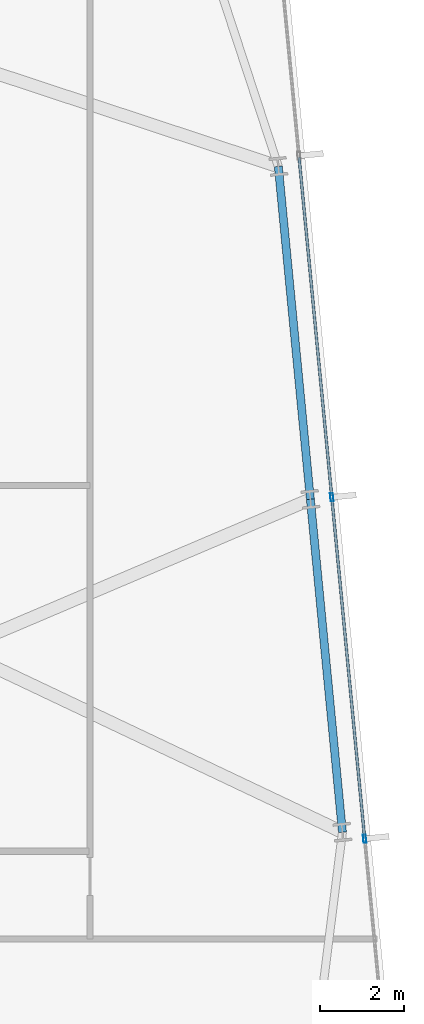
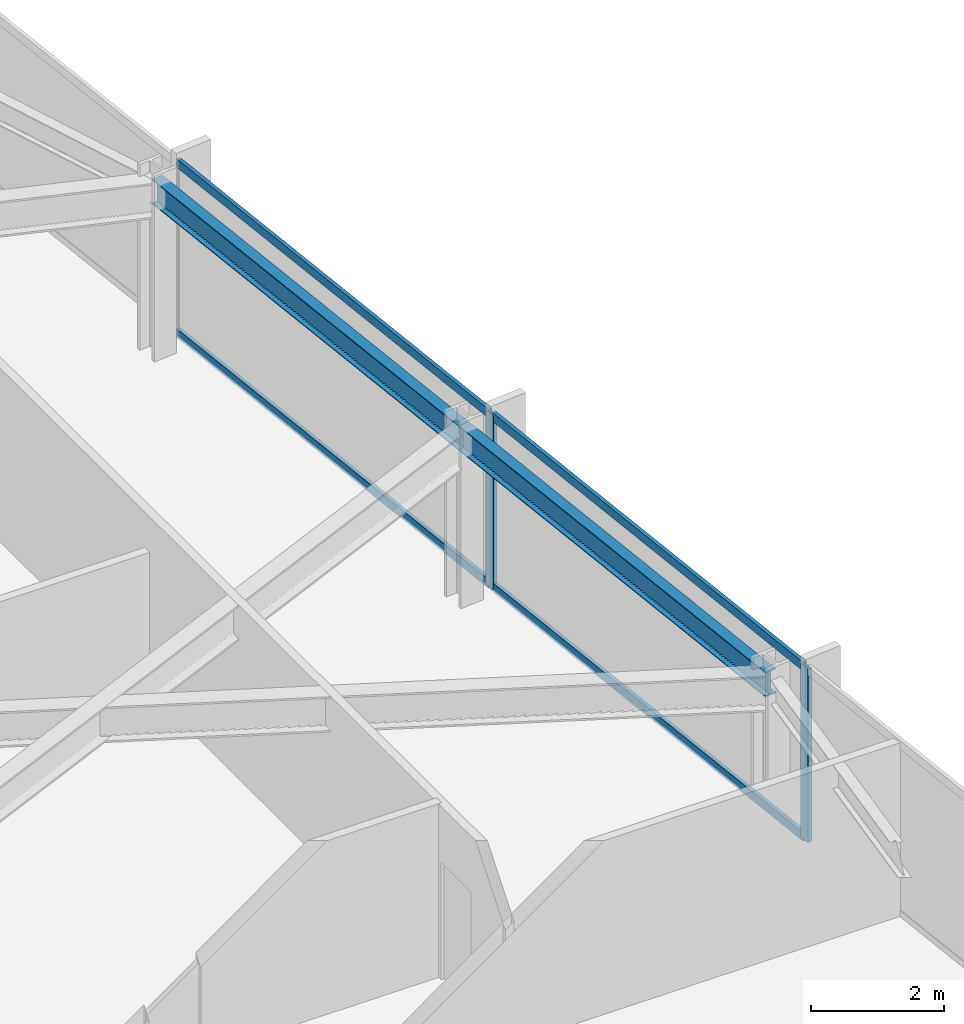
# One storey, part 16 of 32: 6 members, 2 beams, 1 element without a shape of its own.
"""IFC4 building model written with IfcOpenShell, lengths in metres."""

from ifc_helpers import new_model, si_unit, direction, frame, origin, origin_2d, place, context, subcontext, project, spatial, hollow_rectangle, i_section, extrude, material, material_profile, profile_set, type_object, element, aggregate, save


model = new_model("IFC4")

# Units and contexts
model_context = context("Model", 3, precision=1e-05, world=origin(), true_north=direction((0.0, 1.0)))
body_context = subcontext(model_context, "Body", "Model", "MODEL_VIEW")
ifc_project = project(units=[si_unit("LENGTHUNIT", "METRE"), si_unit("AREAUNIT", "SQUARE_METRE"), si_unit("VOLUMEUNIT", "CUBIC_METRE"), si_unit("PLANEANGLEUNIT", "RADIAN"), si_unit("MASSUNIT", "GRAM", prefix="KILO")], contexts=[model_context])

# Site, building, storey
site_placement = place(None, origin())
site = spatial("IfcSite", under=ifc_project, at=site_placement, CompositionType="ELEMENT")
building_placement = place(site_placement, origin())
building = spatial("IfcBuilding", under=site, at=building_placement, Name="Yelkora Congress Tower", CompositionType="ELEMENT")
storey_placement = place(building_placement, frame((0.0, 0.0, 99.89990234375)))
storey = spatial("IfcBuildingStorey", under=building, at=storey_placement, Name="L26", CompositionType="ELEMENT", Elevation=99.89990234375)

# Beams
ifc_material_1 = material(Name="Steel S355J2", Category="steel")
ifc_material_profile_1 = material_profile(ifc_material_1, i_section(OverallWidth=0.18994140625, OverallDepth=0.449951171875, WebThickness=0.009521484375, FlangeThickness=0.0146484375, FilletRadius=0.02099609375, at=origin_2d()), Name="IPE 450")
ifc_profile_set_1 = profile_set([ifc_material_profile_1], Name="Steel S355J2")
beam_type = type_object("IfcBeamType", Name="BM-SPAN-IPE450", PredefinedType="SPANDREL", material=ifc_profile_set_1)
beam_1_placement = place(storey_placement, frame((76.041259765625, 24.83349609375, 2.955078125), z_axis=(-0.095839787071, 0.995396772757, 0.0), x_axis=(-0.995396772757, -0.095839787071, 0.0)))
element("IfcBeam", 1, at=beam_1_placement, inside=storey, type_object=beam_type, Name="L26 Perimeter Beam 11", PredefinedType="SPANDREL", context=body_context, shape_type="SweptSolid", body=[
    extrude(i_section(OverallWidth=0.18994140625, OverallDepth=0.449951171875, WebThickness=0.009521484375, FlangeThickness=0.0146484375, FilletRadius=0.02099609375, at=origin_2d()), origin(), (0.0, 0.0, 1.0), 7.9248046875),
])
beam_2_placement = place(storey_placement, frame((75.28173828125, 32.721923828125, 2.955078125), z_axis=(-0.09583684824, 0.995397055712, 0.0), x_axis=(-0.995397055712, -0.09583684824, 0.0)))
element("IfcBeam", 2, at=beam_2_placement, inside=storey, type_object=beam_type, Name="L26 Perimeter Beam 12", PredefinedType="SPANDREL", context=body_context, shape_type="SweptSolid", body=[
    extrude(i_section(OverallWidth=0.18994140625, OverallDepth=0.449951171875, WebThickness=0.009521484375, FlangeThickness=0.0146484375, FilletRadius=0.02099609375, at=origin_2d()), origin(), (0.0, 0.0, 1.0), 7.925048828125),
])

# Curtain wall, members
ifc_material_2 = material(Name="Anodised aluminium and insulated glass", Category="aluminium")
curtain_wall_type = type_object("IfcCurtainWallType", Name="CW-SYS-B2", PredefinedType="NOTDEFINED", material=ifc_material_2)
curtain_wall_placement = place(storey_placement, origin())
curtain_wall = element("IfcCurtainWall", 3, at=curtain_wall_placement, inside=storey, type_object=curtain_wall_type, Name="L26 Unitised Curtain Wall 15", PredefinedType="NOTDEFINED")
ifc_material_3 = material(Name="Anodised aluminium 6063-T6", Category="aluminium")
ifc_material_profile_2 = material_profile(ifc_material_3, hollow_rectangle(XDim=0.070068359375, YDim=0.18994140625, WallThickness=0.00390625, at=origin_2d()), Name="ALU 70x190x4")
ifc_profile_set_2 = profile_set([ifc_material_profile_2], Name="Anodised aluminium 6063-T6")
member_type_1 = type_object("IfcMemberType", Name="MEM-ML-B2", PredefinedType="MULLION", material=ifc_profile_set_2)
member_1_placement = place(storey_placement, frame((75.789306640625, 32.770751953125, 0.0), z_axis=(0.0, 0.0, 1.0), x_axis=(0.995396507508, 0.095842541913, 0.0)))
member_1 = element("IfcMember", 4, at=member_1_placement, type_object=member_type_1, Name="CW-B2 mullion 3", PredefinedType="MULLION", context=body_context, shape_type="SweptSolid", body=[
    extrude(hollow_rectangle(XDim=0.070068359375, YDim=0.18994140625, WallThickness=0.00390625, at=origin_2d()), origin(), (0.0, 0.0, 1.0), 3.18017578125),
])
member_2_placement = place(storey_placement, frame((76.568603515625, 24.67822265625, 0.0), z_axis=(0.0, 0.0, 1.0), x_axis=(0.995396507508, 0.095842541913, 0.0)))
member_2 = element("IfcMember", 5, at=member_2_placement, type_object=member_type_1, Name="CW-B2 mullion 4", PredefinedType="MULLION", context=body_context, shape_type="SweptSolid", body=[
    extrude(hollow_rectangle(XDim=0.070068359375, YDim=0.18994140625, WallThickness=0.00390625, at=origin_2d()), origin(), (0.0, 0.0, 1.0), 3.18017578125),
])
ifc_material_profile_3 = material_profile(ifc_material_3, hollow_rectangle(XDim=0.06494140625, YDim=0.159912109375, WallThickness=0.00390625, at=origin_2d()), Name="ALU 65x160x4")
ifc_profile_set_3 = profile_set([ifc_material_profile_3], Name="Anodised aluminium 6063-T6")
member_type_2 = type_object("IfcMemberType", Name="MEM-TR-B2", PredefinedType="USERDEFINED", material=ifc_profile_set_3)
member_3_placement = place(storey_placement, frame((75.013427734375, 40.82861328125, 0.03271484375), z_axis=(0.095838228465, -0.995396922823, 0.0), x_axis=(0.995396922823, 0.095838228465, 0.0)))
member_3 = element("IfcMember", 6, at=member_3_placement, type_object=member_type_2, Name="CW-B2 transom 2.1", ObjectType="TRANSOM", PredefinedType="USERDEFINED", context=body_context, shape_type="SweptSolid", body=[
    extrude(hollow_rectangle(XDim=0.06494140625, YDim=0.159912109375, WallThickness=0.00390625, at=origin_2d()), origin(), (0.0, 0.0, 1.0), 8.06005859375),
])
member_4_placement = place(storey_placement, frame((75.013427734375, 40.82861328125, 3.147705078125), z_axis=(0.095838228465, -0.995396922823, 0.0), x_axis=(0.995396922823, 0.095838228465, 0.0)))
member_4 = element("IfcMember", 7, at=member_4_placement, type_object=member_type_2, Name="CW-B2 transom 2.2", ObjectType="TRANSOM", PredefinedType="USERDEFINED", context=body_context, shape_type="SweptSolid", body=[
    extrude(hollow_rectangle(XDim=0.06494140625, YDim=0.159912109375, WallThickness=0.00390625, at=origin_2d()), origin(), (0.0, 0.0, 1.0), 8.06005859375),
])
member_5_placement = place(storey_placement, frame((75.792724609375, 32.736083984375, 0.03271484375), z_axis=(0.095838228465, -0.995396922823, 0.0), x_axis=(0.995396922823, 0.095838228465, 0.0)))
member_5 = element("IfcMember", 8, at=member_5_placement, type_object=member_type_2, Name="CW-B2 transom 3.1", ObjectType="TRANSOM", PredefinedType="USERDEFINED", context=body_context, shape_type="SweptSolid", body=[
    extrude(hollow_rectangle(XDim=0.06494140625, YDim=0.159912109375, WallThickness=0.00390625, at=origin_2d()), origin(), (0.0, 0.0, 1.0), 8.06005859375),
])
member_6_placement = place(storey_placement, frame((75.792724609375, 32.736083984375, 3.147705078125), z_axis=(0.095838228465, -0.995396922823, 0.0), x_axis=(0.995396922823, 0.095838228465, 0.0)))
member_6 = element("IfcMember", 9, at=member_6_placement, type_object=member_type_2, Name="CW-B2 transom 3.2", ObjectType="TRANSOM", PredefinedType="USERDEFINED", context=body_context, shape_type="SweptSolid", body=[
    extrude(hollow_rectangle(XDim=0.06494140625, YDim=0.159912109375, WallThickness=0.00390625, at=origin_2d()), origin(), (0.0, 0.0, 1.0), 8.06005859375),
])
aggregate(curtain_wall, [member_1, member_2, member_3, member_4, member_5, member_6])

save(model, "model.ifc")
